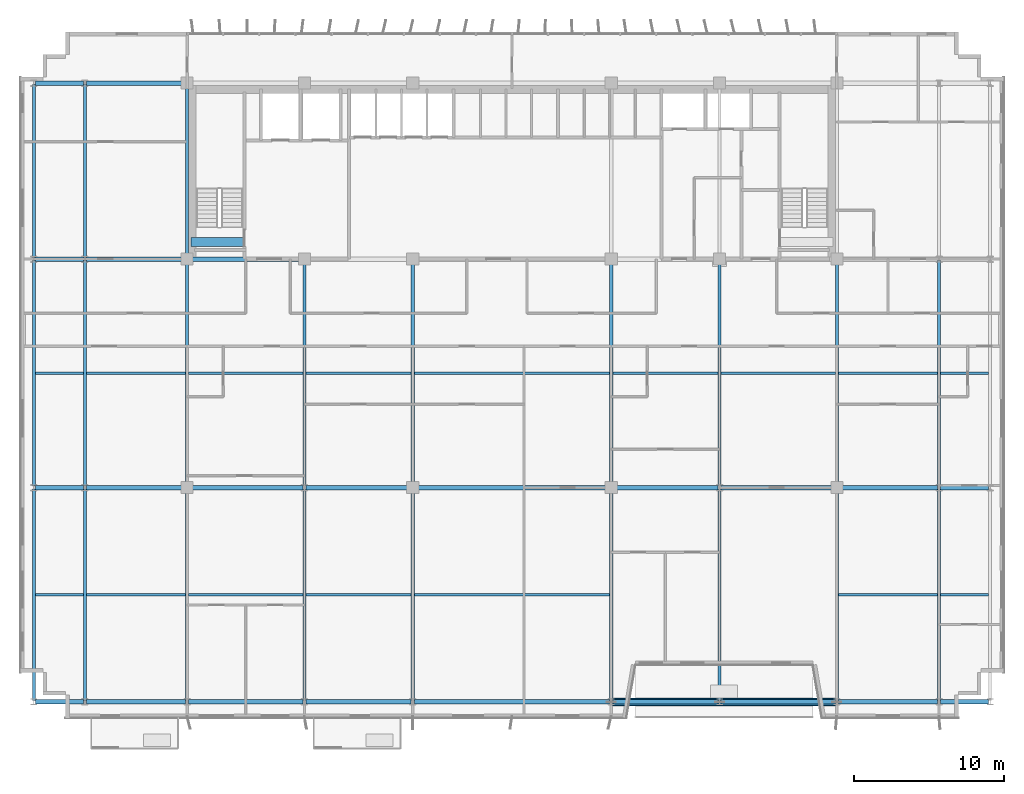
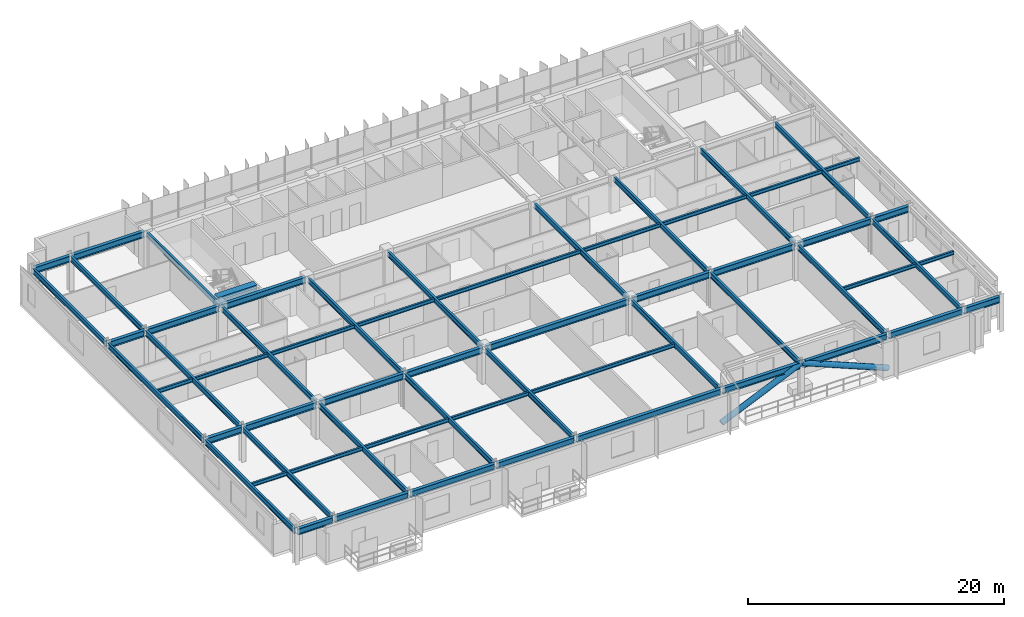
# One storey, part 4 of 22: 61 beams, 2 members.
"""IFC4 building model written with IfcOpenShell, lengths in metres."""

from ifc_helpers import new_model, si_unit, direction, frame, origin, origin_2d, place, context, subcontext, project, spatial, rectangle, hollow_circle, i_section, extrude, source, transform, mapped, material, material_profile, profile_set, type_object, element, save


model = new_model("IFC4")

# Units and contexts
model_context = context("Model", 3, precision=1e-05, world=origin(), true_north=direction((0.0, 1.0)))
body_context = subcontext(model_context, "Body", "Model", "MODEL_VIEW")
ifc_project = project(units=[si_unit("LENGTHUNIT", "METRE"), si_unit("AREAUNIT", "SQUARE_METRE"), si_unit("VOLUMEUNIT", "CUBIC_METRE"), si_unit("PLANEANGLEUNIT", "RADIAN"), si_unit("MASSUNIT", "GRAM", prefix="KILO")], contexts=[model_context])

# Site, building, storey
site_placement = place(None, origin())
site = spatial("IfcSite", under=ifc_project, at=site_placement, CompositionType="ELEMENT")
building_placement = place(site_placement, origin())
building = spatial("IfcBuilding", under=site, at=building_placement, Name="Trelvane Seafront Commons", CompositionType="ELEMENT")
storey_placement = place(building_placement, frame((0.0, 0.0, 121.300048828125)))
storey = spatial("IfcBuildingStorey", under=building, at=storey_placement, Name="L31", CompositionType="ELEMENT", Elevation=121.300048828125)

# Beams
ifc_material_1 = material(Name="Concrete C60/75", Category="concrete")
ifc_material_profile_1 = material_profile(ifc_material_1, rectangle(XDim=0.60009765625, YDim=0.89990234375, at=origin_2d()), Name="RC-600x900")
ifc_profile_set_1 = profile_set([ifc_material_profile_1], Name="Concrete C60/75")
beam_type_1 = type_object("IfcBeamType", Name="STR-LNT-RC600x900", PredefinedType="LINTEL", material=ifc_profile_set_1)
shared_shape_1 = source(origin(), body_context, "Body", "SweptSolid", [
    extrude(rectangle(XDim=0.60009765625, YDim=0.89990234375, at=origin_2d()), origin(), (0.0, 0.0, 1.0), 3.5498046875),
])
beam_1_placement = place(storey_placement, frame((15.85009765625, 34.550048828125, 2.889892578125), z_axis=(1.0, 0.0, 0.0), x_axis=(0.0, 1.0, 0.0)))
element("IfcBeam", 1, at=beam_1_placement, inside=storey, type_object=beam_type_1, Name="L31 Core Coupling Lintel Beam CB-83", PredefinedType="LINTEL", context=body_context, shape_type="MappedRepresentation", body=[
    mapped(shared_shape_1, transform((0.0, 0.0, 0.0), x_axis=(1.0, 0.0, 0.0), y_axis=(0.0, 1.0, 0.0), z_axis=(0.0, 0.0, 1.0), scale=1.0)),
])
ifc_material_2 = material(Name="Steel SM355 (S355)", Category="steel")
ifc_material_profile_2 = material_profile(ifc_material_2, i_section(OverallWidth=0.300048828125, OverallDepth=0.587890625, WebThickness=0.011962890625, FlangeThickness=0.02001953125, at=origin_2d()), Name="H-588x300x12x20")
ifc_profile_set_2 = profile_set([ifc_material_profile_2], Name="Steel SM355 (S355)")
beam_type_2 = type_object("IfcBeamType", Name="STR-BM-H588", PredefinedType="BEAM", material=ifc_profile_set_2)
shared_shape_2 = source(origin(), body_context, "Body", "SweptSolid", [
    extrude(i_section(OverallWidth=0.300048828125, OverallDepth=0.587890625, WebThickness=0.011962890625, FlangeThickness=0.02001953125, at=origin_2d()), origin(), (0.0, 0.0, 1.0), 7.550048828125),
])
beam_2_placement = place(storey_placement, frame((15.75, 18.199951171875, 3.0458984375), z_axis=(1.0, 0.0, 0.0), x_axis=(0.0, 1.0, 0.0)))
element("IfcBeam", 2, at=beam_2_placement, inside=storey, type_object=beam_type_2, Name="L31 Primary Girder G-12", PredefinedType="BEAM", context=body_context, shape_type="MappedRepresentation", body=[
    mapped(shared_shape_2, transform((0.0, 0.0, 0.0), x_axis=(1.0, 0.0, 0.0), y_axis=(0.0, 1.0, 0.0), z_axis=(0.0, 0.0, 1.0), scale=1.0)),
])
shared_shape_3 = source(origin(), body_context, "Body", "SweptSolid", [
    extrude(i_section(OverallWidth=0.300048828125, OverallDepth=0.587890625, WebThickness=0.011962890625, FlangeThickness=0.02001953125, at=origin_2d()), origin(), (0.0, 0.0, 1.0), 3.199951171875),
])
for number, where, z_axis, x_axis, name in (
    (3, (5.5, 3.949951171875, 3.0458984375), (1.0, 0.0, 0.0), (0.0, 1.0, 0.0), "L31 Primary Girder G-01"),
    (4, (65.699951171875, 3.949951171875, 3.0458984375), (1.0, 0.0, 0.0), (0.0, 1.0, 0.0), "L31 Primary Girder G-09"),
    (5, (5.5, 18.199951171875, 3.0458984375), (1.0, 0.0, 0.0), (0.0, 1.0, 0.0), "L31 Primary Girder G-10"),
    (6, (65.699951171875, 18.199951171875, 3.0458984375), (1.0, 0.0, 0.0), (0.0, 1.0, 0.0), "L31 Primary Girder G-18"),
    (7, (5.5, 33.39990234375, 3.0458984375), (1.0, 0.0, 0.0), (0.0, 1.0, 0.0), "L31 Primary Girder G-19"),
    (8, (5.5, 45.10009765625, 3.0458984375), (1.0, 0.0, 0.0), (0.0, 1.0, 0.0), "L31 Primary Girder G-28"),
):
    element("IfcBeam", number, at=place(storey_placement, frame(where, z_axis=z_axis, x_axis=x_axis)), inside=storey, type_object=beam_type_2, Name=name, PredefinedType="BEAM", context=body_context, shape_type="MappedRepresentation", body=[
        mapped(shared_shape_3, transform((0.0, 0.0, 0.0), x_axis=(1.0, 0.0, 0.0), y_axis=(0.0, 1.0, 0.0), z_axis=(0.0, 0.0, 1.0), scale=1.0)),
    ])
shared_shape_4 = source(origin(), body_context, "Body", "SweptSolid", [
    extrude(i_section(OverallWidth=0.300048828125, OverallDepth=0.587890625, WebThickness=0.011962890625, FlangeThickness=0.02001953125, at=origin_2d()), origin(), (0.0, 0.0, 1.0), 6.60009765625),
])
for number, where, z_axis, x_axis, name in (
    (9, (8.89990234375, 3.949951171875, 3.0458984375), (1.0, 0.0, 0.0), (0.0, 1.0, 0.0), "L31 Primary Girder G-02"),
    (10, (58.89990234375, 3.949951171875, 3.0458984375), (1.0, 0.0, 0.0), (0.0, 1.0, 0.0), "L31 Primary Girder G-08"),
):
    element("IfcBeam", number, at=place(storey_placement, frame(where, z_axis=z_axis, x_axis=x_axis)), inside=storey, type_object=beam_type_2, Name=name, PredefinedType="BEAM", context=body_context, shape_type="MappedRepresentation", body=[
        mapped(shared_shape_4, transform((0.0, 0.0, 0.0), x_axis=(1.0, 0.0, 0.0), y_axis=(0.0, 1.0, 0.0), z_axis=(0.0, 0.0, 1.0), scale=1.0)),
    ])
shared_shape_5 = source(origin(), body_context, "Body", "SweptSolid", [
    extrude(i_section(OverallWidth=0.300048828125, OverallDepth=0.587890625, WebThickness=0.011962890625, FlangeThickness=0.02001953125, at=origin_2d()), origin(), (0.0, 0.0, 1.0), 7.60009765625),
])
beam_3_placement = place(storey_placement, frame((15.699951171875, 3.949951171875, 3.0458984375), z_axis=(1.0, 0.0, 0.0), x_axis=(0.0, 1.0, 0.0)))
element("IfcBeam", 11, at=beam_3_placement, inside=storey, type_object=beam_type_2, Name="L31 Primary Girder G-03", PredefinedType="BEAM", context=body_context, shape_type="MappedRepresentation", body=[
    mapped(shared_shape_5, transform((0.0, 0.0, 0.0), x_axis=(1.0, 0.0, 0.0), y_axis=(0.0, 1.0, 0.0), z_axis=(0.0, 0.0, 1.0), scale=1.0)),
])
shared_shape_6 = source(origin(), body_context, "Body", "SweptSolid", [
    extrude(i_section(OverallWidth=0.300048828125, OverallDepth=0.587890625, WebThickness=0.011962890625, FlangeThickness=0.02001953125, at=origin_2d()), origin(), (0.0, 0.0, 1.0), 7.0),
])
for number, where, z_axis, x_axis, name in (
    (12, (23.5, 3.949951171875, 3.0458984375), (1.0, 0.0, 0.0), (0.0, 1.0, 0.0), "L31 Primary Girder G-04"),
    (13, (43.89990234375, 3.949951171875, 3.0458984375), (1.0, 0.0, 0.0), (0.0, 1.0, 0.0), "L31 Primary Girder G-06"),
):
    element("IfcBeam", number, at=place(storey_placement, frame(where, z_axis=z_axis, x_axis=x_axis)), inside=storey, type_object=beam_type_2, Name=name, PredefinedType="BEAM", context=body_context, shape_type="MappedRepresentation", body=[
        mapped(shared_shape_6, transform((0.0, 0.0, 0.0), x_axis=(1.0, 0.0, 0.0), y_axis=(0.0, 1.0, 0.0), z_axis=(0.0, 0.0, 1.0), scale=1.0)),
    ])
shared_shape_7 = source(origin(), body_context, "Body", "SweptSolid", [
    extrude(i_section(OverallWidth=0.300048828125, OverallDepth=0.587890625, WebThickness=0.011962890625, FlangeThickness=0.02001953125, at=origin_2d()), origin(), (0.0, 0.0, 1.0), 13.0),
])
beam_4_placement = place(storey_placement, frame((30.699951171875, 3.949951171875, 3.0458984375), z_axis=(1.0, 0.0, 0.0), x_axis=(0.0, 1.0, 0.0)))
element("IfcBeam", 14, at=beam_4_placement, inside=storey, type_object=beam_type_2, Name="L31 Primary Girder G-05", PredefinedType="BEAM", context=body_context, shape_type="MappedRepresentation", body=[
    mapped(shared_shape_7, transform((0.0, 0.0, 0.0), x_axis=(1.0, 0.0, 0.0), y_axis=(0.0, 1.0, 0.0), z_axis=(0.0, 0.0, 1.0), scale=1.0)),
])
shared_shape_8 = source(origin(), body_context, "Body", "SweptSolid", [
    extrude(i_section(OverallWidth=0.300048828125, OverallDepth=0.587890625, WebThickness=0.011962890625, FlangeThickness=0.02001953125, at=origin_2d()), origin(), (0.0, 0.0, 1.0), 7.599853515625),
])
beam_5_placement = place(storey_placement, frame((51.10009765625, 3.949951171875, 3.0458984375), z_axis=(1.0, 0.0, 0.0), x_axis=(0.0, 1.0, 0.0)))
element("IfcBeam", 15, at=beam_5_placement, inside=storey, type_object=beam_type_2, Name="L31 Primary Girder G-07", PredefinedType="BEAM", context=body_context, shape_type="MappedRepresentation", body=[
    mapped(shared_shape_8, transform((0.0, 0.0, 0.0), x_axis=(1.0, 0.0, 0.0), y_axis=(0.0, 1.0, 0.0), z_axis=(0.0, 0.0, 1.0), scale=1.0)),
])
shared_shape_9 = source(origin(), body_context, "Body", "SweptSolid", [
    extrude(i_section(OverallWidth=0.300048828125, OverallDepth=0.587890625, WebThickness=0.011962890625, FlangeThickness=0.02001953125, at=origin_2d()), origin(), (0.0, 0.0, 1.0), 6.550048828125),
])
for number, where, z_axis, x_axis, name in (
    (16, (8.89990234375, 18.199951171875, 3.0458984375), (1.0, 0.0, 0.0), (0.0, 1.0, 0.0), "L31 Primary Girder G-11"),
    (17, (58.949951171875, 18.199951171875, 3.0458984375), (1.0, 0.0, 0.0), (0.0, 1.0, 0.0), "L31 Primary Girder G-17"),
    (18, (8.89990234375, 33.39990234375, 3.0458984375), (1.0, 0.0, 0.0), (0.0, 1.0, 0.0), "L31 Primary Girder G-20"),
    (19, (8.89990234375, 45.10009765625, 3.0458984375), (1.0, 0.0, 0.0), (0.0, 1.0, 0.0), "L31 Primary Girder G-29"),
):
    element("IfcBeam", number, at=place(storey_placement, frame(where, z_axis=z_axis, x_axis=x_axis)), inside=storey, type_object=beam_type_2, Name=name, PredefinedType="BEAM", context=body_context, shape_type="MappedRepresentation", body=[
        mapped(shared_shape_9, transform((0.0, 0.0, 0.0), x_axis=(1.0, 0.0, 0.0), y_axis=(0.0, 1.0, 0.0), z_axis=(0.0, 0.0, 1.0), scale=1.0)),
    ])
shared_shape_10 = source(origin(), body_context, "Body", "SweptSolid", [
    extrude(i_section(OverallWidth=0.300048828125, OverallDepth=0.587890625, WebThickness=0.011962890625, FlangeThickness=0.02001953125, at=origin_2d()), origin(), (0.0, 0.0, 1.0), 6.949951171875),
])
for number, where, z_axis, x_axis, name in (
    (20, (23.5, 18.199951171875, 3.0458984375), (1.0, 0.0, 0.0), (0.0, 1.0, 0.0), "L31 Primary Girder G-13"),
    (21, (43.949951171875, 18.199951171875, 3.0458984375), (1.0, 0.0, 0.0), (0.0, 1.0, 0.0), "L31 Primary Girder G-15"),
):
    element("IfcBeam", number, at=place(storey_placement, frame(where, z_axis=z_axis, x_axis=x_axis)), inside=storey, type_object=beam_type_2, Name=name, PredefinedType="BEAM", context=body_context, shape_type="MappedRepresentation", body=[
        mapped(shared_shape_10, transform((0.0, 0.0, 0.0), x_axis=(1.0, 0.0, 0.0), y_axis=(0.0, 1.0, 0.0), z_axis=(0.0, 0.0, 1.0), scale=1.0)),
    ])
shared_shape_11 = source(origin(), body_context, "Body", "SweptSolid", [
    extrude(i_section(OverallWidth=0.300048828125, OverallDepth=0.587890625, WebThickness=0.011962890625, FlangeThickness=0.02001953125, at=origin_2d()), origin(), (0.0, 0.0, 1.0), 12.89990234375),
])
beam_6_placement = place(storey_placement, frame((30.75, 18.199951171875, 3.0458984375), z_axis=(1.0, 0.0, 0.0), x_axis=(0.0, 1.0, 0.0)))
element("IfcBeam", 22, at=beam_6_placement, inside=storey, type_object=beam_type_2, Name="L31 Primary Girder G-14", PredefinedType="BEAM", context=body_context, shape_type="MappedRepresentation", body=[
    mapped(shared_shape_11, transform((0.0, 0.0, 0.0), x_axis=(1.0, 0.0, 0.0), y_axis=(0.0, 1.0, 0.0), z_axis=(0.0, 0.0, 1.0), scale=1.0)),
])
shared_shape_12 = source(origin(), body_context, "Body", "SweptSolid", [
    extrude(i_section(OverallWidth=0.300048828125, OverallDepth=0.587890625, WebThickness=0.011962890625, FlangeThickness=0.02001953125, at=origin_2d()), origin(), (0.0, 0.0, 1.0), 7.5498046875),
])
beam_7_placement = place(storey_placement, frame((51.10009765625, 18.199951171875, 3.0458984375), z_axis=(1.0, 0.0, 0.0), x_axis=(0.0, 1.0, 0.0)))
element("IfcBeam", 23, at=beam_7_placement, inside=storey, type_object=beam_type_2, Name="L31 Primary Girder G-16", PredefinedType="BEAM", context=body_context, shape_type="MappedRepresentation", body=[
    mapped(shared_shape_12, transform((0.0, 0.0, 0.0), x_axis=(1.0, 0.0, 0.0), y_axis=(0.0, 1.0, 0.0), z_axis=(0.0, 0.0, 1.0), scale=1.0)),
])
shared_shape_13 = source(origin(), body_context, "Body", "SweptSolid", [
    extrude(i_section(OverallWidth=0.300048828125, OverallDepth=0.587890625, WebThickness=0.011962890625, FlangeThickness=0.02001953125, at=origin_2d()), origin(), (0.0, 0.0, 1.0), 7.5),
])
beam_8_placement = place(storey_placement, frame((15.75, 33.39990234375, 3.0458984375), z_axis=(1.0, 0.0, 0.0), x_axis=(0.0, 1.0, 0.0)))
element("IfcBeam", 24, at=beam_8_placement, inside=storey, type_object=beam_type_2, Name="L31 Primary Girder G-21", PredefinedType="BEAM", context=body_context, shape_type="MappedRepresentation", body=[
    mapped(shared_shape_13, transform((0.0, 0.0, 0.0), x_axis=(1.0, 0.0, 0.0), y_axis=(0.0, 1.0, 0.0), z_axis=(0.0, 0.0, 1.0), scale=1.0)),
])
ifc_material_profile_3 = material_profile(ifc_material_2, i_section(OverallWidth=0.199951171875, OverallDepth=0.5, WebThickness=0.010009765625, FlangeThickness=0.01611328125, at=origin_2d()), Name="H-500x200x10x16")
ifc_profile_set_3 = profile_set([ifc_material_profile_3], Name="Steel SM355 (S355)")
beam_type_3 = type_object("IfcBeamType", Name="STR-BM-H500", PredefinedType="BEAM", material=ifc_profile_set_3)
shared_shape_14 = source(origin(), body_context, "Body", "SweptSolid", [
    extrude(i_section(OverallWidth=0.199951171875, OverallDepth=0.5, WebThickness=0.010009765625, FlangeThickness=0.01611328125, at=origin_2d()), origin(), (0.0, 0.0, 1.0), 14.050048828125),
])
for number, where, z_axis, x_axis, name in (
    (25, (5.39990234375, 4.050048828125, 3.08984375), (0.0, 1.0, 0.0), (-1.0, 0.0, 0.0), "L31 Primary Girder G-37"),
    (26, (8.800048828125, 4.050048828125, 3.08984375), (0.0, 1.0, 0.0), (-1.0, 0.0, 0.0), "L31 Primary Girder G-40"),
    (27, (23.39990234375, 4.050048828125, 3.08984375), (0.0, 1.0, 0.0), (-1.0, 0.0, 0.0), "L31 Primary Girder G-46"),
    (28, (51.0, 4.050048828125, 3.08984375), (0.0, 1.0, 0.0), (-1.0, 0.0, 0.0), "L31 Primary Girder G-55"),
    (29, (65.60009765625, 4.050048828125, 3.08984375), (0.0, 1.0, 0.0), (-1.0, 0.0, 0.0), "L31 Primary Girder G-61"),
):
    element("IfcBeam", number, at=place(storey_placement, frame(where, z_axis=z_axis, x_axis=x_axis)), inside=storey, type_object=beam_type_3, Name=name, PredefinedType="BEAM", context=body_context, shape_type="MappedRepresentation", body=[
        mapped(shared_shape_14, transform((0.0, 0.0, 0.0), x_axis=(1.0, 0.0, 0.0), y_axis=(0.0, 1.0, 0.0), z_axis=(0.0, 0.0, 1.0), scale=1.0)),
    ])
shared_shape_15 = source(origin(), body_context, "Body", "SweptSolid", [
    extrude(i_section(OverallWidth=0.199951171875, OverallDepth=0.5, WebThickness=0.010009765625, FlangeThickness=0.01611328125, at=origin_2d()), origin(), (0.0, 0.0, 1.0), 15.0),
])
for number, where, z_axis, x_axis, name in (
    (30, (5.39990234375, 18.300048828125, 3.08984375), (0.0, 1.0, 0.0), (-1.0, 0.0, 0.0), "L31 Primary Girder G-38"),
    (31, (8.800048828125, 18.300048828125, 3.08984375), (0.0, 1.0, 0.0), (-1.0, 0.0, 0.0), "L31 Primary Girder G-41"),
    (32, (65.60009765625, 18.300048828125, 3.08984375), (0.0, 1.0, 0.0), (-1.0, 0.0, 0.0), "L31 Primary Girder G-62"),
):
    element("IfcBeam", number, at=place(storey_placement, frame(where, z_axis=z_axis, x_axis=x_axis)), inside=storey, type_object=beam_type_3, Name=name, PredefinedType="BEAM", context=body_context, shape_type="MappedRepresentation", body=[
        mapped(shared_shape_15, transform((0.0, 0.0, 0.0), x_axis=(1.0, 0.0, 0.0), y_axis=(0.0, 1.0, 0.0), z_axis=(0.0, 0.0, 1.0), scale=1.0)),
    ])
shared_shape_16 = source(origin(), body_context, "Body", "SweptSolid", [
    extrude(i_section(OverallWidth=0.199951171875, OverallDepth=0.5, WebThickness=0.010009765625, FlangeThickness=0.01611328125, at=origin_2d()), origin(), (0.0, 0.0, 1.0), 11.5),
])
for number, where, z_axis, x_axis, name in (
    (33, (5.39990234375, 33.5, 3.08984375), (0.0, 1.0, 0.0), (-1.0, 0.0, 0.0), "L31 Primary Girder G-39"),
    (34, (8.800048828125, 33.5, 3.08984375), (0.0, 1.0, 0.0), (-1.0, 0.0, 0.0), "L31 Primary Girder G-42"),
):
    element("IfcBeam", number, at=place(storey_placement, frame(where, z_axis=z_axis, x_axis=x_axis)), inside=storey, type_object=beam_type_3, Name=name, PredefinedType="BEAM", context=body_context, shape_type="MappedRepresentation", body=[
        mapped(shared_shape_16, transform((0.0, 0.0, 0.0), x_axis=(1.0, 0.0, 0.0), y_axis=(0.0, 1.0, 0.0), z_axis=(0.0, 0.0, 1.0), scale=1.0)),
    ])
shared_shape_17 = source(origin(), body_context, "Body", "SweptSolid", [
    extrude(i_section(OverallWidth=0.199951171875, OverallDepth=0.5, WebThickness=0.010009765625, FlangeThickness=0.01611328125, at=origin_2d()), origin(), (0.0, 0.0, 1.0), 14.0),
])
for number, where, z_axis, x_axis, name in (
    (35, (15.60009765625, 4.050048828125, 3.08984375), (0.0, 1.0, 0.0), (-1.0, 0.0, 0.0), "L31 Primary Girder G-43"),
    (36, (30.60009765625, 4.050048828125, 3.08984375), (0.0, 1.0, 0.0), (-1.0, 0.0, 0.0), "L31 Primary Girder G-49"),
    (37, (43.800048828125, 4.050048828125, 3.08984375), (0.0, 1.0, 0.0), (-1.0, 0.0, 0.0), "L31 Primary Girder G-52"),
    (38, (58.800048828125, 4.050048828125, 3.08984375), (0.0, 1.0, 0.0), (-1.0, 0.0, 0.0), "L31 Primary Girder G-58"),
):
    element("IfcBeam", number, at=place(storey_placement, frame(where, z_axis=z_axis, x_axis=x_axis)), inside=storey, type_object=beam_type_3, Name=name, PredefinedType="BEAM", context=body_context, shape_type="MappedRepresentation", body=[
        mapped(shared_shape_17, transform((0.0, 0.0, 0.0), x_axis=(1.0, 0.0, 0.0), y_axis=(0.0, 1.0, 0.0), z_axis=(0.0, 0.0, 1.0), scale=1.0)),
    ])
shared_shape_18 = source(origin(), body_context, "Body", "SweptSolid", [
    extrude(i_section(OverallWidth=0.199951171875, OverallDepth=0.5, WebThickness=0.010009765625, FlangeThickness=0.01611328125, at=origin_2d()), origin(), (0.0, 0.0, 1.0), 14.89990234375),
])
for number, where, z_axis, x_axis, name in (
    (39, (15.60009765625, 18.35009765625, 3.08984375), (0.0, 1.0, 0.0), (-1.0, 0.0, 0.0), "L31 Primary Girder G-44"),
    (40, (30.60009765625, 18.35009765625, 3.08984375), (0.0, 1.0, 0.0), (-1.0, 0.0, 0.0), "L31 Primary Girder G-50"),
    (41, (43.800048828125, 18.35009765625, 3.08984375), (0.0, 1.0, 0.0), (-1.0, 0.0, 0.0), "L31 Primary Girder G-53"),
    (42, (58.800048828125, 18.35009765625, 3.08984375), (0.0, 1.0, 0.0), (-1.0, 0.0, 0.0), "L31 Primary Girder G-59"),
):
    element("IfcBeam", number, at=place(storey_placement, frame(where, z_axis=z_axis, x_axis=x_axis)), inside=storey, type_object=beam_type_3, Name=name, PredefinedType="BEAM", context=body_context, shape_type="MappedRepresentation", body=[
        mapped(shared_shape_18, transform((0.0, 0.0, 0.0), x_axis=(1.0, 0.0, 0.0), y_axis=(0.0, 1.0, 0.0), z_axis=(0.0, 0.0, 1.0), scale=1.0)),
    ])
shared_shape_19 = source(origin(), body_context, "Body", "SweptSolid", [
    extrude(i_section(OverallWidth=0.199951171875, OverallDepth=0.5, WebThickness=0.010009765625, FlangeThickness=0.01611328125, at=origin_2d()), origin(), (0.0, 0.0, 1.0), 11.39990234375),
])
beam_9_placement = place(storey_placement, frame((15.60009765625, 33.550048828125, 3.08984375), z_axis=(0.0, 1.0, 0.0), x_axis=(-1.0, 0.0, 0.0)))
element("IfcBeam", 43, at=beam_9_placement, inside=storey, type_object=beam_type_3, Name="L31 Primary Girder G-45", PredefinedType="BEAM", context=body_context, shape_type="MappedRepresentation", body=[
    mapped(shared_shape_19, transform((0.0, 0.0, 0.0), x_axis=(1.0, 0.0, 0.0), y_axis=(0.0, 1.0, 0.0), z_axis=(0.0, 0.0, 1.0), scale=1.0)),
])
shared_shape_20 = source(origin(), body_context, "Body", "SweptSolid", [
    extrude(i_section(OverallWidth=0.199951171875, OverallDepth=0.5, WebThickness=0.010009765625, FlangeThickness=0.01611328125, at=origin_2d()), origin(), (0.0, 0.0, 1.0), 14.949951171875),
])
for number, where, z_axis, x_axis, name in (
    (44, (23.39990234375, 18.300048828125, 3.08984375), (0.0, 1.0, 0.0), (-1.0, 0.0, 0.0), "L31 Primary Girder G-47"),
    (45, (51.0, 18.300048828125, 3.08984375), (0.0, 1.0, 0.0), (-1.0, 0.0, 0.0), "L31 Primary Girder G-56"),
):
    element("IfcBeam", number, at=place(storey_placement, frame(where, z_axis=z_axis, x_axis=x_axis)), inside=storey, type_object=beam_type_3, Name=name, PredefinedType="BEAM", context=body_context, shape_type="MappedRepresentation", body=[
        mapped(shared_shape_20, transform((0.0, 0.0, 0.0), x_axis=(1.0, 0.0, 0.0), y_axis=(0.0, 1.0, 0.0), z_axis=(0.0, 0.0, 1.0), scale=1.0)),
    ])
ifc_material_profile_4 = material_profile(ifc_material_2, i_section(OverallWidth=0.175048828125, OverallDepth=0.35009765625, WebThickness=0.007080078125, FlangeThickness=0.010986328125, at=origin_2d()), Name="H-350x175x7x11")
ifc_profile_set_4 = profile_set([ifc_material_profile_4], Name="Steel SM355 (S355)")
beam_type_4 = type_object("IfcBeamType", Name="STR-JST-H350", PredefinedType="JOIST", material=ifc_profile_set_4)
shared_shape_21 = source(origin(), body_context, "Body", "SweptSolid", [
    extrude(i_section(OverallWidth=0.175048828125, OverallDepth=0.35009765625, WebThickness=0.007080078125, FlangeThickness=0.010986328125, at=origin_2d()), origin(), (0.0, 0.0, 1.0), 3.199951171875),
])
for number, where, z_axis, x_axis, name in (
    (46, (5.5, 11.074951171875, 3.1650390625), (1.0, 0.0, 0.0), (0.0, 1.0, 0.0), "L31 Secondary Floor Joist B-67"),
    (47, (65.699951171875, 11.074951171875, 3.1650390625), (1.0, 0.0, 0.0), (0.0, 1.0, 0.0), "L31 Secondary Floor Joist B-73"),
    (48, (5.5, 25.800048828125, 3.1650390625), (1.0, 0.0, 0.0), (0.0, 1.0, 0.0), "L31 Secondary Floor Joist B-74"),
    (49, (65.699951171875, 25.800048828125, 3.1650390625), (1.0, 0.0, 0.0), (0.0, 1.0, 0.0), "L31 Secondary Floor Joist B-82"),
):
    element("IfcBeam", number, at=place(storey_placement, frame(where, z_axis=z_axis, x_axis=x_axis)), inside=storey, type_object=beam_type_4, Name=name, PredefinedType="JOIST", context=body_context, shape_type="MappedRepresentation", body=[
        mapped(shared_shape_21, transform((0.0, 0.0, 0.0), x_axis=(1.0, 0.0, 0.0), y_axis=(0.0, 1.0, 0.0), z_axis=(0.0, 0.0, 1.0), scale=1.0)),
    ])
shared_shape_22 = source(origin(), body_context, "Body", "SweptSolid", [
    extrude(i_section(OverallWidth=0.175048828125, OverallDepth=0.35009765625, WebThickness=0.007080078125, FlangeThickness=0.010986328125, at=origin_2d()), origin(), (0.0, 0.0, 1.0), 6.60009765625),
])
for number, where, z_axis, x_axis, name in (
    (50, (8.89990234375, 11.074951171875, 3.1650390625), (1.0, 0.0, 0.0), (0.0, 1.0, 0.0), "L31 Secondary Floor Joist B-68"),
    (51, (58.89990234375, 11.074951171875, 3.1650390625), (1.0, 0.0, 0.0), (0.0, 1.0, 0.0), "L31 Secondary Floor Joist B-72"),
    (52, (8.89990234375, 25.800048828125, 3.1650390625), (1.0, 0.0, 0.0), (0.0, 1.0, 0.0), "L31 Secondary Floor Joist B-75"),
    (53, (58.89990234375, 25.800048828125, 3.1650390625), (1.0, 0.0, 0.0), (0.0, 1.0, 0.0), "L31 Secondary Floor Joist B-81"),
):
    element("IfcBeam", number, at=place(storey_placement, frame(where, z_axis=z_axis, x_axis=x_axis)), inside=storey, type_object=beam_type_4, Name=name, PredefinedType="JOIST", context=body_context, shape_type="MappedRepresentation", body=[
        mapped(shared_shape_22, transform((0.0, 0.0, 0.0), x_axis=(1.0, 0.0, 0.0), y_axis=(0.0, 1.0, 0.0), z_axis=(0.0, 0.0, 1.0), scale=1.0)),
    ])
shared_shape_23 = source(origin(), body_context, "Body", "SweptSolid", [
    extrude(i_section(OverallWidth=0.175048828125, OverallDepth=0.35009765625, WebThickness=0.007080078125, FlangeThickness=0.010986328125, at=origin_2d()), origin(), (0.0, 0.0, 1.0), 7.60009765625),
])
for number, where, z_axis, x_axis, name in (
    (54, (15.699951171875, 11.074951171875, 3.1650390625), (1.0, 0.0, 0.0), (0.0, 1.0, 0.0), "L31 Secondary Floor Joist B-69"),
    (55, (15.699951171875, 25.800048828125, 3.1650390625), (1.0, 0.0, 0.0), (0.0, 1.0, 0.0), "L31 Secondary Floor Joist B-76"),
):
    element("IfcBeam", number, at=place(storey_placement, frame(where, z_axis=z_axis, x_axis=x_axis)), inside=storey, type_object=beam_type_4, Name=name, PredefinedType="JOIST", context=body_context, shape_type="MappedRepresentation", body=[
        mapped(shared_shape_23, transform((0.0, 0.0, 0.0), x_axis=(1.0, 0.0, 0.0), y_axis=(0.0, 1.0, 0.0), z_axis=(0.0, 0.0, 1.0), scale=1.0)),
    ])
shared_shape_24 = source(origin(), body_context, "Body", "SweptSolid", [
    extrude(i_section(OverallWidth=0.175048828125, OverallDepth=0.35009765625, WebThickness=0.007080078125, FlangeThickness=0.010986328125, at=origin_2d()), origin(), (0.0, 0.0, 1.0), 7.0),
])
for number, where, z_axis, x_axis, name in (
    (56, (23.5, 11.074951171875, 3.1650390625), (1.0, 0.0, 0.0), (0.0, 1.0, 0.0), "L31 Secondary Floor Joist B-70"),
    (57, (23.5, 25.800048828125, 3.1650390625), (1.0, 0.0, 0.0), (0.0, 1.0, 0.0), "L31 Secondary Floor Joist B-77"),
    (58, (43.89990234375, 25.800048828125, 3.1650390625), (1.0, 0.0, 0.0), (0.0, 1.0, 0.0), "L31 Secondary Floor Joist B-79"),
):
    element("IfcBeam", number, at=place(storey_placement, frame(where, z_axis=z_axis, x_axis=x_axis)), inside=storey, type_object=beam_type_4, Name=name, PredefinedType="JOIST", context=body_context, shape_type="MappedRepresentation", body=[
        mapped(shared_shape_24, transform((0.0, 0.0, 0.0), x_axis=(1.0, 0.0, 0.0), y_axis=(0.0, 1.0, 0.0), z_axis=(0.0, 0.0, 1.0), scale=1.0)),
    ])
shared_shape_25 = source(origin(), body_context, "Body", "SweptSolid", [
    extrude(i_section(OverallWidth=0.175048828125, OverallDepth=0.35009765625, WebThickness=0.007080078125, FlangeThickness=0.010986328125, at=origin_2d()), origin(), (0.0, 0.0, 1.0), 13.0),
])
for number, where, z_axis, x_axis, name in (
    (59, (30.699951171875, 11.074951171875, 3.1650390625), (1.0, 0.0, 0.0), (0.0, 1.0, 0.0), "L31 Secondary Floor Joist B-71"),
    (60, (30.699951171875, 25.800048828125, 3.1650390625), (1.0, 0.0, 0.0), (0.0, 1.0, 0.0), "L31 Secondary Floor Joist B-78"),
):
    element("IfcBeam", number, at=place(storey_placement, frame(where, z_axis=z_axis, x_axis=x_axis)), inside=storey, type_object=beam_type_4, Name=name, PredefinedType="JOIST", context=body_context, shape_type="MappedRepresentation", body=[
        mapped(shared_shape_25, transform((0.0, 0.0, 0.0), x_axis=(1.0, 0.0, 0.0), y_axis=(0.0, 1.0, 0.0), z_axis=(0.0, 0.0, 1.0), scale=1.0)),
    ])
shared_shape_26 = source(origin(), body_context, "Body", "SweptSolid", [
    extrude(i_section(OverallWidth=0.175048828125, OverallDepth=0.35009765625, WebThickness=0.007080078125, FlangeThickness=0.010986328125, at=origin_2d()), origin(), (0.0, 0.0, 1.0), 7.599853515625),
])
beam_10_placement = place(storey_placement, frame((51.10009765625, 25.800048828125, 3.1650390625), z_axis=(1.0, 0.0, 0.0), x_axis=(0.0, 1.0, 0.0)))
element("IfcBeam", 61, at=beam_10_placement, inside=storey, type_object=beam_type_4, Name="L31 Secondary Floor Joist B-80", PredefinedType="JOIST", context=body_context, shape_type="MappedRepresentation", body=[
    mapped(shared_shape_26, transform((0.0, 0.0, 0.0), x_axis=(1.0, 0.0, 0.0), y_axis=(0.0, 1.0, 0.0), z_axis=(0.0, 0.0, 1.0), scale=1.0)),
])

# Members
ifc_material_profile_5 = material_profile(ifc_material_2, hollow_circle(Radius=0.25390625, WallThickness=0.02001953125, at=origin_2d()), Name="CHS-508x20")
ifc_profile_set_5 = profile_set([ifc_material_profile_5], Name="Steel SM355 (S355)")
member_type = type_object("IfcMemberType", Name="STR-STR-CHS508", PredefinedType="STRUT", material=ifc_profile_set_5)
shared_shape_27 = source(origin(), body_context, "Body", "SweptSolid", [
    extrude(hollow_circle(Radius=0.25390625, WallThickness=0.02001953125, at=origin_2d()), origin(), (0.0, 0.0, 1.0), 7.88720703125),
])
member_1_placement = place(storey_placement, frame((43.800048828125, 3.949951171875, 0.0), z_axis=(0.912868346781, 0.0, 0.408254064823), x_axis=(0.0, 1.0, 0.0)))
element("IfcMember", 62, at=member_1_placement, inside=storey, type_object=member_type, Name="L31 Sky-Garden V-Chevron Brace SGV-W", PredefinedType="STRUT", context=body_context, shape_type="MappedRepresentation", body=[
    mapped(shared_shape_27, transform((0.0, 0.0, 0.0), x_axis=(1.0, 0.0, 0.0), y_axis=(0.0, 1.0, 0.0), z_axis=(0.0, 0.0, 1.0), scale=1.0)),
])
shared_shape_28 = source(origin(), body_context, "Body", "SweptSolid", [
    extrude(hollow_circle(Radius=0.25390625, WallThickness=0.02001953125, at=origin_2d()), origin(), (0.0, 0.0, 1.0), 8.4384765625),
])
member_2_placement = place(storey_placement, frame((58.800048828125, 3.949951171875, 0.0), z_axis=(-0.924336196456, 0.0, 0.381579082133), x_axis=(0.0, -1.0, 0.0)))
element("IfcMember", 63, at=member_2_placement, inside=storey, type_object=member_type, Name="L31 Sky-Garden V-Chevron Brace SGV-E", PredefinedType="STRUT", context=body_context, shape_type="MappedRepresentation", body=[
    mapped(shared_shape_28, transform((0.0, 0.0, 0.0), x_axis=(1.0, 0.0, 0.0), y_axis=(0.0, 1.0, 0.0), z_axis=(0.0, 0.0, 1.0), scale=1.0)),
])

save(model, "model.ifc")
